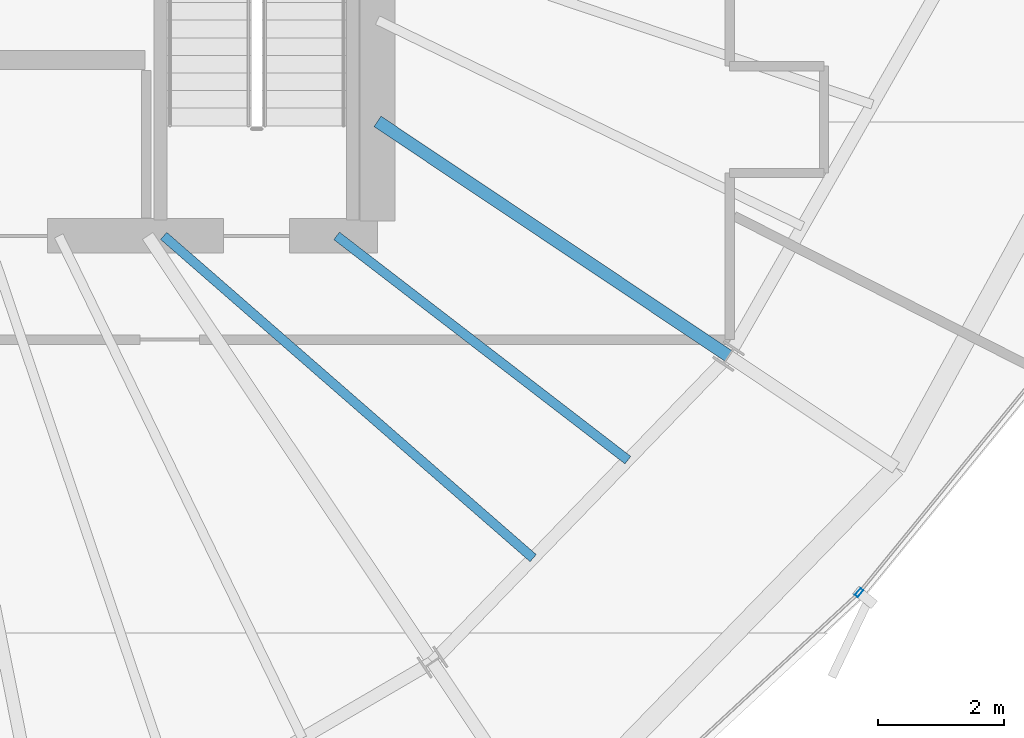
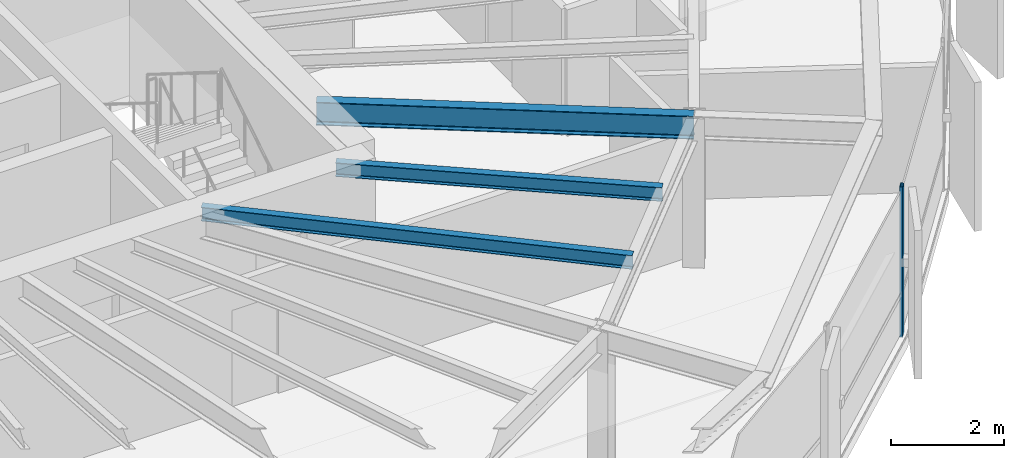
# One storey, part 14 of 34: 3 beams, 1 member, 1 element without a shape of its own.
"""IFC4 building model written with IfcOpenShell, lengths in metres."""

from ifc_helpers import new_model, si_unit, direction, frame, origin, origin_2d, place, context, subcontext, project, spatial, hollow_rectangle, i_section, extrude, source, transform, mapped, material, layer, layer_set, material_profile, profile_set, type_object, element, aggregate, save


model = new_model("IFC4")

# Units and contexts
model_context = context("Model", 3, precision=1e-05, world=origin(), true_north=direction((0.0, 1.0)))
body_context = subcontext(model_context, "Body", "Model", "MODEL_VIEW")
ifc_project = project(units=[si_unit("LENGTHUNIT", "METRE"), si_unit("AREAUNIT", "SQUARE_METRE"), si_unit("VOLUMEUNIT", "CUBIC_METRE"), si_unit("PLANEANGLEUNIT", "RADIAN"), si_unit("MASSUNIT", "GRAM", prefix="KILO"), si_unit("THERMODYNAMICTEMPERATUREUNIT", "KELVIN")], contexts=[model_context])

# Site, building, storey
site_placement = place(None, origin())
site = spatial("IfcSite", under=ifc_project, at=site_placement, CompositionType="ELEMENT")
building_placement = place(site_placement, origin())
building = spatial("IfcBuilding", under=site, at=building_placement, Name="Kethvar Cultural Tower", CompositionType="ELEMENT")
storey_placement = place(building_placement, frame((0.0, 0.0, 190.39990234375)))
storey = spatial("IfcBuildingStorey", under=building, at=storey_placement, Name="L49", CompositionType="ELEMENT", Elevation=190.39990234375)

# Beams
ifc_material_1 = material(Name="Steel S355J2", Category="steel")
ifc_material_profile_1 = material_profile(ifc_material_1, i_section(OverallWidth=0.199951171875, OverallDepth=0.5, WebThickness=0.01025390625, FlangeThickness=0.01611328125, FilletRadius=0.02099609375, at=origin_2d()), Name="Steel S355J2 — IPE500")
ifc_profile_set_1 = profile_set([ifc_material_profile_1], Name="Steel S355J2 — IPE500")
beam_type_1 = type_object("IfcBeamType", Name="BM-IPE500", PredefinedType="BEAM", material=ifc_profile_set_1)
shared_shape_1 = source(origin(), body_context, "Body", "SweptSolid", [
    extrude(i_section(OverallWidth=0.199951171875, OverallDepth=0.5, WebThickness=0.01025390625, FlangeThickness=0.01611328125, FilletRadius=0.02099609375, at=origin_2d()), origin(), (0.0, 0.0, 1.0), 6.7138671875),
])
beam_1_placement = place(storey_placement, frame((55.60009765625, 21.919921875, 3.008056640625), z_axis=(0.831479232731, -0.555555834762, 0.0), x_axis=(0.555555834762, 0.831479232731, 0.0)))
element("IfcBeam", 1, at=beam_1_placement, inside=storey, type_object=beam_type_1, Name="L49 Primary Radial Beam RB-15", PredefinedType="BEAM", context=body_context, shape_type="MappedRepresentation", body=[
    mapped(shared_shape_1, transform((0.0, 0.0, 0.0), scale=1.0)),
])
ifc_material_profile_2 = material_profile(ifc_material_1, i_section(OverallWidth=0.14990234375, OverallDepth=0.300048828125, WebThickness=0.007080078125, FlangeThickness=0.0107421875, FilletRadius=0.014892578125, at=origin_2d()), Name="Steel S355J2 — IPE300")
ifc_profile_set_2 = profile_set([ifc_material_profile_2], Name="Steel S355J2 — IPE300")
beam_type_2 = type_object("IfcBeamType", Name="BM-J300", PredefinedType="JOIST", material=ifc_profile_set_2)
shared_shape_2 = source(origin(), body_context, "Body", "SweptSolid", [
    extrude(i_section(OverallWidth=0.14990234375, OverallDepth=0.300048828125, WebThickness=0.007080078125, FlangeThickness=0.0107421875, FilletRadius=0.014892578125, at=origin_2d()), origin(), (0.0, 0.0, 1.0), 7.7958984375),
])
beam_2_placement = place(storey_placement, frame((52.199951171875, 20.10009765625, 3.108154296875), z_axis=(0.753673681644, -0.657248797335, 0.0), x_axis=(0.657248797335, 0.753673681644, 0.0)))
element("IfcBeam", 2, at=beam_2_placement, inside=storey, type_object=beam_type_2, Name="L49 Composite Floor Joist J-14A", PredefinedType="JOIST", context=body_context, shape_type="MappedRepresentation", body=[
    mapped(shared_shape_2, transform((0.0, 0.0, 0.0), scale=1.0)),
])
shared_shape_3 = source(origin(), body_context, "Body", "SweptSolid", [
    extrude(i_section(OverallWidth=0.14990234375, OverallDepth=0.300048828125, WebThickness=0.007080078125, FlangeThickness=0.0107421875, FilletRadius=0.014892578125, at=origin_2d()), origin(), (0.0, 0.0, 1.0), 5.84521484375),
])
beam_3_placement = place(storey_placement, frame((54.949951171875, 20.10009765625, 3.108154296875), z_axis=(0.792398798307, -0.610003397073, 0.0), x_axis=(0.610003397073, 0.792398798307, 0.0)))
element("IfcBeam", 3, at=beam_3_placement, inside=storey, type_object=beam_type_2, Name="L49 Composite Floor Joist J-14B", PredefinedType="JOIST", context=body_context, shape_type="MappedRepresentation", body=[
    mapped(shared_shape_3, transform((0.0, 0.0, 0.0), scale=1.0)),
])

# Curtain wall, member
ifc_material_2 = material(Name="Aluminium 6063-T6", Category="aluminium")
ifc_layer = layer(ifc_material_2, 0.179931640625, Name="Aluminium 6063-T6", Category="aluminium")
ifc_layer_set = layer_set([ifc_layer], Name="Aluminium 6063-T6 (180 mm)")
curtain_wall_type = type_object("IfcCurtainWallType", Name="CW-SYS-04-Z34", PredefinedType="NOTDEFINED", material=ifc_layer_set)
curtain_wall_placement = place(storey_placement, origin())
curtain_wall = element("IfcCurtainWall", 4, at=curtain_wall_placement, inside=storey, type_object=curtain_wall_type, Name="L49 Curtain Wall Run 06", PredefinedType="NOTDEFINED")
ifc_material_profile_3 = material_profile(ifc_material_2, hollow_rectangle(XDim=0.06005859375, YDim=0.139892578125, WallThickness=0.0048828125, at=origin_2d()), Name="Aluminium 6063-T6 — RHS140x60x5")
ifc_profile_set_3 = profile_set([ifc_material_profile_3], Name="Aluminium 6063-T6 — RHS140x60x5")
member_type = type_object("IfcMemberType", Name="CW-SYS-04-Z34-MUL", PredefinedType="MULLION", material=ifc_profile_set_3)
shared_shape_4 = source(origin(), body_context, "Body", "SweptSolid", [
    extrude(hollow_rectangle(XDim=0.06005859375, YDim=0.139892578125, WallThickness=0.0048828125, at=origin_2d()), origin(), (0.0, 0.0, 1.0), 3.260009765625),
])
member_placement = place(storey_placement, frame((63.259765625, 14.42626953125, 0.0), z_axis=(0.0, 0.0, 1.0), x_axis=(-0.774812099801, 0.632191592796, 0.0)))
member = element("IfcMember", 5, at=member_placement, type_object=member_type, Name="CW-L49-R06 Mullion 3", PredefinedType="MULLION", context=body_context, shape_type="MappedRepresentation", body=[
    mapped(shared_shape_4, transform((0.0, 0.0, 0.0), scale=1.0)),
])
aggregate(curtain_wall, [member])

save(model, "model.ifc")
